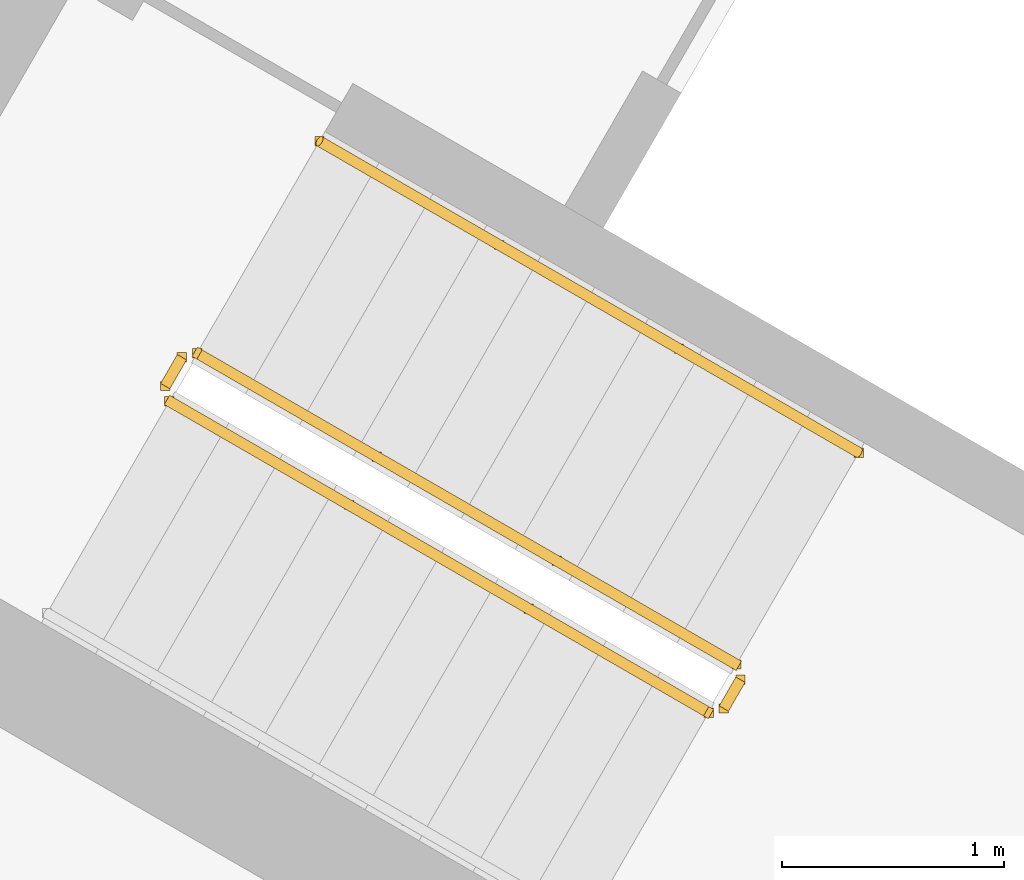
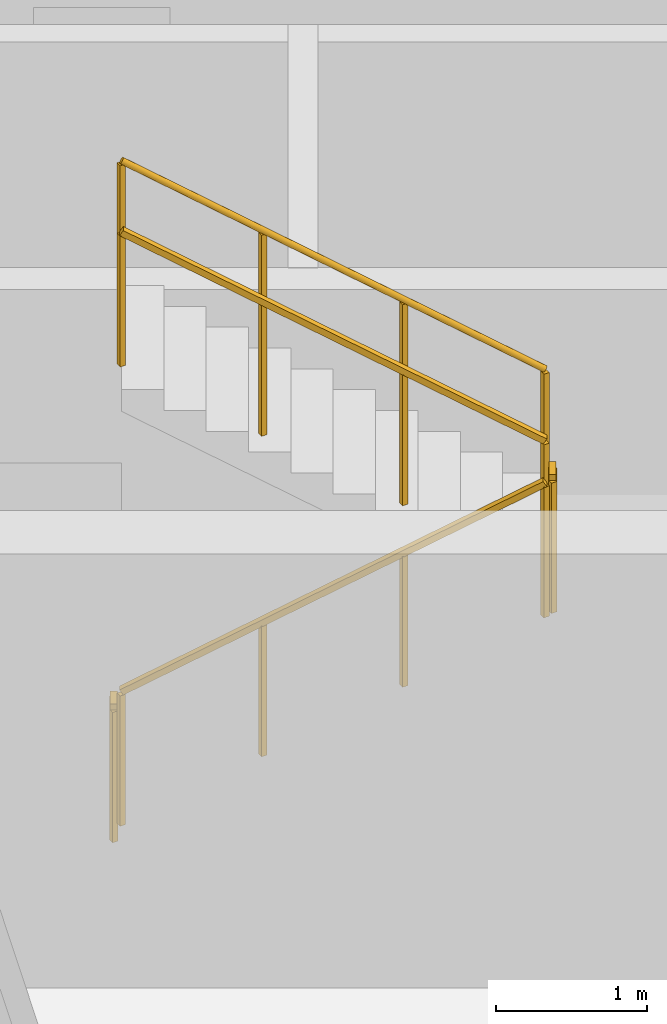
# One storey, part 15 of 17: 5 railings.
"""IFC4 building model written with IfcOpenShell, lengths in metres."""

from ifc_helpers import new_model, si_unit, direction, frame, origin, origin_2d, place, context, subcontext, project, spatial, rectangle, circle, extrude, material, type_object, element, save


model = new_model("IFC4")

# Units and contexts
model_context = context("Model", 3, precision=1e-05, world=origin(), true_north=direction((0.0, 1.0)))
body_context = subcontext(model_context, "Body", "Model", "MODEL_VIEW")
ifc_project = project(units=[si_unit("LENGTHUNIT", "METRE"), si_unit("AREAUNIT", "SQUARE_METRE"), si_unit("VOLUMEUNIT", "CUBIC_METRE"), si_unit("PLANEANGLEUNIT", "RADIAN"), si_unit("MASSUNIT", "GRAM", prefix="KILO")], contexts=[model_context])

# Site, building, storey
site_placement = place(None, origin())
site = spatial("IfcSite", under=ifc_project, at=site_placement, CompositionType="ELEMENT")
building_placement = place(site_placement, origin())
building = spatial("IfcBuilding", under=site, at=building_placement, Name="Apuvela Tower Hotel", CompositionType="ELEMENT")
storey_placement = place(building_placement, frame((0.0, 0.0, 146.60009765625)))
storey = spatial("IfcBuildingStorey", under=building, at=storey_placement, Name="L34", CompositionType="ELEMENT", Elevation=146.60009765625)

# Railings
ifc_material_1 = material(Name="Steel S275 balustrade", Category="steel")
railing_type_1 = type_object("IfcRailingType", Name="COR-GUARD-1100", PredefinedType="GUARDRAIL", material=ifc_material_1)
railing_1_placement = place(storey_placement, frame((10.718994140625, -10.63427734375, 0.16796875)))
element("IfcRailing", 1, at=railing_1_placement, inside=storey, type_object=railing_type_1, Name="L34 ST3 stair guard 1", PredefinedType="GUARDRAIL", context=body_context, shape_type="SweptSolid", body=[
    extrude(rectangle(XDim=0.048095703125, YDim=0.048095703125, at=origin_2d()), frame((0.0, 0.0, 1.076171875), z_axis=(0.742390482028, -0.42860119049, 0.514934356695), x_axis=(0.49998411664, 0.866034573852, 0.0)), (0.0, 0.0, 1.0), 3.26611328125),
    extrude(rectangle(XDim=0.0419921875, YDim=0.0419921875, at=origin_2d()), origin(), (0.0, 0.0, 1.0), 1.052001953125),
    extrude(rectangle(XDim=0.0419921875, YDim=0.0419921875, at=origin_2d()), frame((0.808349609375, -0.466552734375, 0.560546875)), (0.0, 0.0, 1.0), 1.052001953125),
    extrude(rectangle(XDim=0.0419921875, YDim=0.0419921875, at=origin_2d()), frame((1.616455078125, -0.933349609375, 1.121337890625)), (0.0, 0.0, 1.0), 1.052001953125),
    extrude(rectangle(XDim=0.0419921875, YDim=0.0419921875, at=origin_2d()), frame((2.4248046875, -1.39990234375, 1.681884765625)), (0.0, 0.0, 1.0), 1.052001953125),
])
railing_2_placement = place(storey_placement, frame((13.212158203125, -12.015869140625, 1.849853515625)))
element("IfcRailing", 2, at=railing_2_placement, inside=storey, type_object=railing_type_1, Name="L34 ST3 stair guard 2", PredefinedType="GUARDRAIL", context=body_context, shape_type="SweptSolid", body=[
    extrude(rectangle(XDim=0.048095703125, YDim=0.048095703125, at=origin_2d()), frame((0.0, 0.0, 1.076171875), z_axis=(0.499816412211, 0.866131372301, 0.0), x_axis=(-0.866131372301, 0.499816412211, 0.0)), (0.0, 0.0, 1.0), 0.14990234375),
    extrude(rectangle(XDim=0.0419921875, YDim=0.0419921875, at=origin_2d()), origin(), (0.0, 0.0, 1.0), 1.052001953125),
    extrude(rectangle(XDim=0.0419921875, YDim=0.0419921875, at=origin_2d()), frame((0.074951171875, 0.1298828125, 0.0)), (0.0, 0.0, 1.0), 1.052001953125),
])
railing_3_placement = place(storey_placement, frame((13.268798828125, -11.817626953125, 2.01806640625)))
element("IfcRailing", 3, at=railing_3_placement, inside=storey, type_object=railing_type_1, Name="L34 ST3 stair guard 3", PredefinedType="GUARDRAIL", context=body_context, shape_type="SweptSolid", body=[
    extrude(rectangle(XDim=0.048095703125, YDim=0.048095703125, at=origin_2d()), frame((0.0, 0.0, 1.076171875), z_axis=(-0.742390482028, 0.42860119049, 0.514934356695), x_axis=(-0.49998411664, -0.866034573852, 0.0)), (0.0, 0.0, 1.0), 3.26611328125),
    extrude(rectangle(XDim=0.0419921875, YDim=0.0419921875, at=origin_2d()), origin(), (0.0, 0.0, 1.0), 1.052001953125),
    extrude(rectangle(XDim=0.0419921875, YDim=0.0419921875, at=origin_2d()), frame((-0.808349609375, 0.466552734375, 0.560546875)), (0.0, 0.0, 1.0), 1.052001953125),
    extrude(rectangle(XDim=0.0419921875, YDim=0.0419921875, at=origin_2d()), frame((-1.616455078125, 0.933349609375, 1.121337890625)), (0.0, 0.0, 1.0), 1.052001953125),
    extrude(rectangle(XDim=0.0419921875, YDim=0.0419921875, at=origin_2d()), frame((-2.4248046875, 1.39990234375, 1.681884765625)), (0.0, 0.0, 1.0), 1.052001953125),
])
railing_4_placement = place(storey_placement, frame((10.70068359375, -10.56591796875, 0.0)))
element("IfcRailing", 4, at=railing_4_placement, inside=storey, type_object=railing_type_1, Name="L34 ST3 stair guard 4", PredefinedType="GUARDRAIL", context=body_context, shape_type="SweptSolid", body=[
    extrude(rectangle(XDim=0.048095703125, YDim=0.048095703125, at=origin_2d()), frame((0.0, 0.0, 1.076171875), z_axis=(0.499816412211, 0.866131372301, 0.0), x_axis=(-0.866131372301, 0.499816412211, 0.0)), (0.0, 0.0, 1.0), 0.14990234375),
    extrude(rectangle(XDim=0.0419921875, YDim=0.0419921875, at=origin_2d()), origin(), (0.0, 0.0, 1.0), 1.052001953125),
    extrude(rectangle(XDim=0.0419921875, YDim=0.0419921875, at=origin_2d()), frame((0.074951171875, 0.1298828125, 0.0)), (0.0, 0.0, 1.0), 1.052001953125),
])
ifc_material_2 = material(Name="Stainless steel 316 handrail", Category="steel")
railing_type_2 = type_object("IfcRailingType", Name="COR-HANDRAIL-900", PredefinedType="HANDRAIL", material=ifc_material_2)
railing_5_placement = place(storey_placement, frame((13.81884765625, -10.864990234375, 2.01806640625)))
element("IfcRailing", 5, at=railing_5_placement, inside=storey, type_object=railing_type_2, Name="L34 ST3 stair handrail 2", PredefinedType="HANDRAIL", context=body_context, shape_type="SweptSolid", body=[
    extrude(circle(Radius=0.02392578125, at=origin_2d()), frame((0.0, 0.0, 0.8759765625), z_axis=(-0.742390482028, 0.42860119049, 0.514934356695), x_axis=(-0.49998411664, -0.866034573852, 0.0)), (0.0, 0.0, 1.0), 3.26611328125),
    extrude(rectangle(XDim=0.0419921875, YDim=0.0419921875, at=origin_2d()), origin(), (0.0, 0.0, 1.0), 0.851806640625),
    extrude(rectangle(XDim=0.0419921875, YDim=0.0419921875, at=origin_2d()), frame((-0.808349609375, 0.466552734375, 0.560546875)), (0.0, 0.0, 1.0), 0.851806640625),
    extrude(rectangle(XDim=0.0419921875, YDim=0.0419921875, at=origin_2d()), frame((-1.616455078125, 0.933349609375, 1.121337890625)), (0.0, 0.0, 1.0), 0.851806640625),
    extrude(rectangle(XDim=0.0419921875, YDim=0.0419921875, at=origin_2d()), frame((-2.4248046875, 1.39990234375, 1.681884765625)), (0.0, 0.0, 1.0), 0.851806640625),
])

save(model, "model.ifc")
